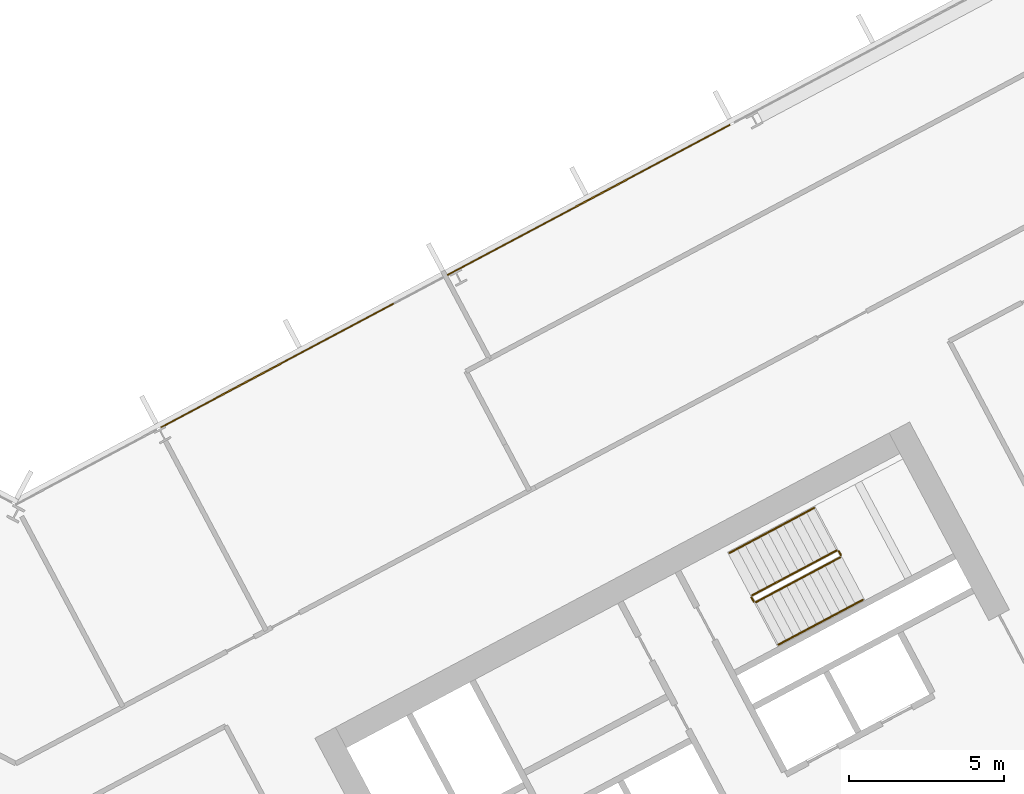
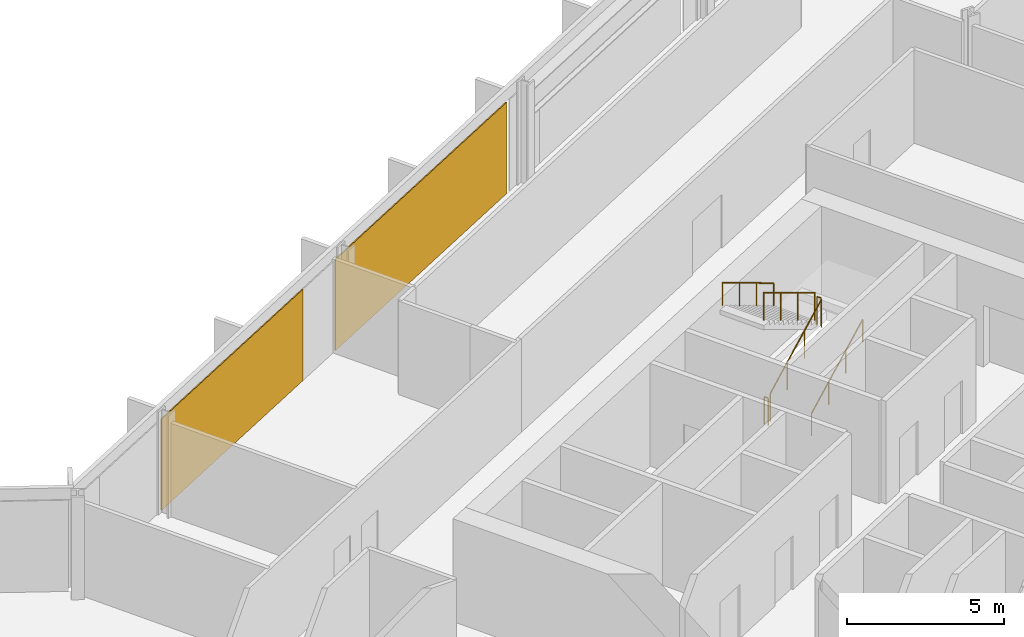
# One storey, part 27 of 28: 6 railings, 2 coverings, 1 element without a shape of its own.
"""IFC4 building model written with IfcOpenShell, lengths in metres."""

from ifc_helpers import new_model, si_unit, direction, frame, origin, origin_2d, place, context, subcontext, project, spatial, polyline, rectangle, outline, extrude, material, layer, layer_set, type_object, element, aggregate, save


model = new_model("IFC4")

# Units and contexts
model_context = context("Model", 3, precision=1e-05, world=origin(), true_north=direction((0.0, 1.0)))
body_context = subcontext(model_context, "Body", "Model", "MODEL_VIEW")
ifc_project = project(units=[si_unit("LENGTHUNIT", "METRE"), si_unit("AREAUNIT", "SQUARE_METRE"), si_unit("VOLUMEUNIT", "CUBIC_METRE"), si_unit("PLANEANGLEUNIT", "RADIAN"), si_unit("MASSUNIT", "GRAM", prefix="KILO")], contexts=[model_context])

# Site, building, storey
site_placement = place(None, origin())
site = spatial("IfcSite", under=ifc_project, at=site_placement, CompositionType="ELEMENT")
building_placement = place(site_placement, origin())
building = spatial("IfcBuilding", under=site, at=building_placement, Name="Cormorant Relay Tower", CompositionType="ELEMENT")
storey_placement = place(building_placement, frame((0.0, 0.0, 122.199951171875)))
storey = spatial("IfcBuildingStorey", under=building, at=storey_placement, Name="L24", CompositionType="ELEMENT", Elevation=122.199951171875)

# Curtain wall, coverings
ifc_material_1 = material(Name="Aluminium 6063-T6 anodised bronze", Category="aluminium")
ifc_layer_1 = layer(ifc_material_1, 0.199951171875)
ifc_layer_set_1 = layer_set([ifc_layer_1], Name="CW1 unitised bronze curtain wall with vertical fins")
curtain_wall_type = type_object("IfcCurtainWallType", Name="CW1 unitised bronze curtain wall with vertical fins", PredefinedType="NOTDEFINED", material=ifc_layer_set_1)
curtain_wall_placement = place(storey_placement, origin())
curtain_wall = element("IfcCurtainWall", 1, at=curtain_wall_placement, inside=storey, type_object=curtain_wall_type, Name="CW1 curtain wall 8", PredefinedType="NOTDEFINED")
ifc_material_2 = material(Name="Pale bronze anodised aluminium insulated panel", Category="aluminium")
ifc_layer_2 = layer(ifc_material_2, 0.0400390625)
ifc_layer_set_2 = layer_set([ifc_layer_2], Name="CW1 pale bronze insulated panel 40")
covering_type = type_object("IfcCoveringType", Name="CW1 pale bronze insulated panel 40", PredefinedType="CLADDING", material=ifc_layer_set_2)
covering_1_placement = place(storey_placement, frame((18.459228515625, 33.62158203125, 0.0), z_axis=(0.0, 0.0, 1.0), x_axis=(-0.882947592859, -0.469471562786, 0.0)))
covering_1 = element("IfcCovering", 2, at=covering_1_placement, type_object=covering_type, Name="CW1 panel S04", PredefinedType="CLADDING", context=body_context, shape_type="SweptSolid", body=[
    extrude(rectangle(XDim=10.30859375, YDim=0.0400390625, at=origin_2d()), origin(), (0.0, 0.0, 1.0), 3.550048828125),
])
covering_2_placement = place(storey_placement, frame((8.430419921875, 28.2890625, 0.0), z_axis=(0.0, 0.0, 1.0), x_axis=(-0.882947592859, -0.469471562786, 0.0)))
covering_2 = element("IfcCovering", 3, at=covering_2_placement, type_object=covering_type, Name="CW1 panel S06", PredefinedType="CLADDING", context=body_context, shape_type="SweptSolid", body=[
    extrude(rectangle(XDim=8.508544921875, YDim=0.0400390625, at=origin_2d()), origin(), (0.0, 0.0, 1.0), 3.550048828125),
])
aggregate(curtain_wall, [covering_1, covering_2])

# Railings
ifc_material_3 = material(Name="Steel ASTM A572 Grade 50 (Fy 345 MPa)", Category="steel")
railing_type_1 = type_object("IfcRailingType", Name="Stair guard 1100", PredefinedType="GUARDRAIL", material=ifc_material_3)
railing_1_placement = place(storey_placement, frame((23.8408203125, 20.6611328125, 0.166748046875)))
element("IfcRailing", 4, at=railing_1_placement, inside=storey, type_object=railing_type_1, Name="L24 B2 stair guard 1", PredefinedType="GUARDRAIL", context=body_context, shape_type="SweptSolid", body=[
    extrude(outline(polyline([(0.022216796875, 0.00927734375), (0.00927734375, 0.022216796875), (-0.00927734375, 0.022216796875), (-0.022216796875, 0.00927734375), (-0.022216796875, -0.00927734375), (-0.00927734375, -0.022216796875), (0.00927734375, -0.022216796875), (0.022216796875, -0.00927734375), (0.022216796875, 0.00927734375)])), frame((0.0, 0.0, 1.076171875), z_axis=(0.758734504837, 0.403377838015, 0.511476559549), x_axis=(-0.469427602063, 0.882970965786, 0.0)), (0.0, 0.0, 1.0), 3.584228515625),
    extrude(outline(polyline([(0.019287109375, 0.008056640625), (0.008056640625, 0.019287109375), (-0.008056640625, 0.019287109375), (-0.019287109375, 0.008056640625), (-0.019287109375, -0.008056640625), (-0.008056640625, -0.019287109375), (0.008056640625, -0.019287109375), (0.019287109375, -0.008056640625), (0.019287109375, 0.008056640625)])), origin(), (0.0, 0.0, 1.0), 1.052001953125),
    extrude(outline(polyline([(0.019287109375, 0.008056640625), (0.008056640625, 0.019287109375), (-0.008056640625, 0.019287109375), (-0.019287109375, 0.008056640625), (-0.019287109375, -0.008056640625), (-0.008056640625, -0.019287109375), (0.008056640625, -0.019287109375), (0.019287109375, -0.008056640625), (0.019287109375, 0.008056640625)])), frame((0.906494140625, 0.48193359375, 0.611083984375)), (0.0, 0.0, 1.0), 1.052001953125),
    extrude(outline(polyline([(0.019287109375, 0.008056640625), (0.008056640625, 0.019287109375), (-0.008056640625, 0.019287109375), (-0.019287109375, 0.008056640625), (-0.019287109375, -0.008056640625), (-0.008056640625, -0.019287109375), (0.008056640625, -0.019287109375), (0.019287109375, -0.008056640625), (0.019287109375, 0.008056640625)])), frame((1.81298828125, 0.9638671875, 1.22216796875)), (0.0, 0.0, 1.0), 1.052001953125),
    extrude(outline(polyline([(0.019287109375, 0.008056640625), (0.008056640625, 0.019287109375), (-0.008056640625, 0.019287109375), (-0.019287109375, 0.008056640625), (-0.019287109375, -0.008056640625), (-0.008056640625, -0.019287109375), (0.008056640625, -0.019287109375), (0.019287109375, -0.008056640625), (0.019287109375, 0.008056640625)])), frame((2.719482421875, 1.44580078125, 1.833251953125)), (0.0, 0.0, 1.0), 1.052001953125),
])
railing_2_placement = place(storey_placement, frame((26.5810546875, 22.174560546875, 2.0)))
element("IfcRailing", 5, at=railing_2_placement, inside=storey, type_object=railing_type_1, Name="L24 B2 stair guard 2", PredefinedType="GUARDRAIL", context=body_context, shape_type="SweptSolid", body=[
    extrude(outline(polyline([(0.022216796875, 0.00927734375), (0.00927734375, 0.022216796875), (-0.00927734375, 0.022216796875), (-0.022216796875, 0.00927734375), (-0.022216796875, -0.00927734375), (-0.00927734375, -0.022216796875), (0.00927734375, -0.022216796875), (0.022216796875, -0.00927734375), (0.022216796875, 0.00927734375)])), frame((0.0, 0.0, 1.076171875), z_axis=(-0.469828648786, 0.882757634224, 0.0), x_axis=(-0.882757634224, -0.469828648786, 0.0)), (0.0, 0.0, 1.0), 0.150146484375),
    extrude(outline(polyline([(0.019287109375, 0.008056640625), (0.008056640625, 0.019287109375), (-0.008056640625, 0.019287109375), (-0.019287109375, 0.008056640625), (-0.019287109375, -0.008056640625), (-0.008056640625, -0.019287109375), (0.008056640625, -0.019287109375), (0.019287109375, -0.008056640625), (0.019287109375, 0.008056640625)])), origin(), (0.0, 0.0, 1.0), 1.052001953125),
    extrude(outline(polyline([(0.019287109375, 0.008056640625), (0.008056640625, 0.019287109375), (-0.008056640625, 0.019287109375), (-0.019287109375, 0.008056640625), (-0.019287109375, -0.008056640625), (-0.008056640625, -0.019287109375), (0.008056640625, -0.019287109375), (0.019287109375, -0.008056640625), (0.019287109375, 0.008056640625)])), frame((-0.070556640625, 0.132568359375, 0.0)), (0.0, 0.0, 1.0), 1.052001953125),
])
railing_3_placement = place(storey_placement, frame((26.44287109375, 22.32763671875, 2.166748046875)))
element("IfcRailing", 6, at=railing_3_placement, inside=storey, type_object=railing_type_1, Name="L24 B2 stair guard 3", PredefinedType="GUARDRAIL", context=body_context, shape_type="SweptSolid", body=[
    extrude(outline(polyline([(0.022216796875, 0.00927734375), (0.00927734375, 0.022216796875), (-0.00927734375, 0.022216796875), (-0.022216796875, 0.00927734375), (-0.022216796875, -0.00927734375), (-0.00927734375, -0.022216796875), (0.00927734375, -0.022216796875), (0.022216796875, -0.00927734375), (0.022216796875, 0.00927734375)])), frame((0.0, 0.0, 1.076171875), z_axis=(-0.758734504837, -0.403377838015, 0.511476559549), x_axis=(0.469427602063, -0.882970965786, 0.0)), (0.0, 0.0, 1.0), 3.584228515625),
    extrude(outline(polyline([(0.019287109375, 0.008056640625), (0.008056640625, 0.019287109375), (-0.008056640625, 0.019287109375), (-0.019287109375, 0.008056640625), (-0.019287109375, -0.008056640625), (-0.008056640625, -0.019287109375), (0.008056640625, -0.019287109375), (0.019287109375, -0.008056640625), (0.019287109375, 0.008056640625)])), origin(), (0.0, 0.0, 1.0), 1.052001953125),
    extrude(outline(polyline([(0.019287109375, 0.008056640625), (0.008056640625, 0.019287109375), (-0.008056640625, 0.019287109375), (-0.019287109375, 0.008056640625), (-0.019287109375, -0.008056640625), (-0.008056640625, -0.019287109375), (0.008056640625, -0.019287109375), (0.019287109375, -0.008056640625), (0.019287109375, 0.008056640625)])), frame((-0.906494140625, -0.48193359375, 0.611083984375)), (0.0, 0.0, 1.0), 1.052001953125),
    extrude(outline(polyline([(0.019287109375, 0.008056640625), (0.008056640625, 0.019287109375), (-0.008056640625, 0.019287109375), (-0.019287109375, 0.008056640625), (-0.019287109375, -0.008056640625), (-0.008056640625, -0.019287109375), (0.008056640625, -0.019287109375), (0.019287109375, -0.008056640625), (0.019287109375, 0.008056640625)])), frame((-1.81298828125, -0.9638671875, 1.22216796875)), (0.0, 0.0, 1.0), 1.052001953125),
    extrude(outline(polyline([(0.019287109375, 0.008056640625), (0.008056640625, 0.019287109375), (-0.008056640625, 0.019287109375), (-0.019287109375, 0.008056640625), (-0.019287109375, -0.008056640625), (-0.008056640625, -0.019287109375), (0.008056640625, -0.019287109375), (0.019287109375, -0.008056640625), (0.019287109375, 0.008056640625)])), frame((-2.719482421875, -1.44580078125, 1.833251953125)), (0.0, 0.0, 1.0), 1.052001953125),
])
railing_4_placement = place(storey_placement, frame((23.773193359375, 20.681640625, 0.0)))
element("IfcRailing", 7, at=railing_4_placement, inside=storey, type_object=railing_type_1, Name="L24 B2 stair guard 4", PredefinedType="GUARDRAIL", context=body_context, shape_type="SweptSolid", body=[
    extrude(outline(polyline([(0.022216796875, 0.00927734375), (0.00927734375, 0.022216796875), (-0.00927734375, 0.022216796875), (-0.022216796875, 0.00927734375), (-0.022216796875, -0.00927734375), (-0.00927734375, -0.022216796875), (0.00927734375, -0.022216796875), (0.022216796875, -0.00927734375), (0.022216796875, 0.00927734375)])), frame((0.0, 0.0, 1.076171875), z_axis=(-0.46856034887, 0.8834314911, 0.0), x_axis=(-0.8834314911, -0.46856034887, 0.0)), (0.0, 0.0, 1.0), 0.150146484375),
    extrude(outline(polyline([(0.019287109375, 0.008056640625), (0.008056640625, 0.019287109375), (-0.008056640625, 0.019287109375), (-0.019287109375, 0.008056640625), (-0.019287109375, -0.008056640625), (-0.008056640625, -0.019287109375), (0.008056640625, -0.019287109375), (0.019287109375, -0.008056640625), (0.019287109375, 0.008056640625)])), origin(), (0.0, 0.0, 1.0), 1.052001953125),
    extrude(outline(polyline([(0.019287109375, 0.008056640625), (0.008056640625, 0.019287109375), (-0.008056640625, 0.019287109375), (-0.019287109375, 0.008056640625), (-0.019287109375, -0.008056640625), (-0.008056640625, -0.019287109375), (0.008056640625, -0.019287109375), (0.019287109375, -0.008056640625), (0.019287109375, 0.008056640625)])), frame((-0.0703125, 0.132568359375, 0.0)), (0.0, 0.0, 1.0), 1.052001953125),
])
ifc_material_4 = material(Name="Steel ASTM A572 Grade 50 (Fy 345 MPa)", Category="steel")
railing_type_2 = type_object("IfcRailingType", Name="Stair handrail 900", PredefinedType="HANDRAIL", material=ifc_material_4)
railing_5_placement = place(storey_placement, frame((24.568603515625, 19.29248046875, 0.166748046875)))
element("IfcRailing", 8, at=railing_5_placement, inside=storey, type_object=railing_type_2, Name="L24 B2 stair handrail 1", PredefinedType="HANDRAIL", context=body_context, shape_type="SweptSolid", body=[
    extrude(outline(polyline([(0.022216796875, 0.00927734375), (0.00927734375, 0.022216796875), (-0.00927734375, 0.022216796875), (-0.022216796875, 0.00927734375), (-0.022216796875, -0.00927734375), (-0.00927734375, -0.022216796875), (0.00927734375, -0.022216796875), (0.022216796875, -0.00927734375), (0.022216796875, 0.00927734375)])), frame((0.0, 0.0, 0.8759765625), z_axis=(0.758713656843, 0.403434867536, 0.511462505542), x_axis=(-0.469489399267, 0.882938108802, 0.0)), (0.0, 0.0, 1.0), 3.584228515625),
    extrude(outline(polyline([(0.019287109375, 0.008056640625), (0.008056640625, 0.019287109375), (-0.008056640625, 0.019287109375), (-0.019287109375, 0.008056640625), (-0.019287109375, -0.008056640625), (-0.008056640625, -0.019287109375), (0.008056640625, -0.019287109375), (0.019287109375, -0.008056640625), (0.019287109375, 0.008056640625)])), origin(), (0.0, 0.0, 1.0), 0.851806640625),
    extrude(outline(polyline([(0.019287109375, 0.008056640625), (0.008056640625, 0.019287109375), (-0.008056640625, 0.019287109375), (-0.019287109375, 0.008056640625), (-0.019287109375, -0.008056640625), (-0.008056640625, -0.019287109375), (0.008056640625, -0.019287109375), (0.019287109375, -0.008056640625), (0.019287109375, 0.008056640625)])), frame((0.906494140625, 0.48193359375, 0.611083984375)), (0.0, 0.0, 1.0), 0.851806640625),
    extrude(outline(polyline([(0.019287109375, 0.008056640625), (0.008056640625, 0.019287109375), (-0.008056640625, 0.019287109375), (-0.019287109375, 0.008056640625), (-0.019287109375, -0.008056640625), (-0.008056640625, -0.019287109375), (0.008056640625, -0.019287109375), (0.019287109375, -0.008056640625), (0.019287109375, 0.008056640625)])), frame((1.81298828125, 0.964111328125, 1.22216796875)), (0.0, 0.0, 1.0), 0.851806640625),
    extrude(outline(polyline([(0.019287109375, 0.008056640625), (0.008056640625, 0.019287109375), (-0.008056640625, 0.019287109375), (-0.019287109375, 0.008056640625), (-0.019287109375, -0.008056640625), (-0.008056640625, -0.019287109375), (0.008056640625, -0.019287109375), (0.019287109375, -0.008056640625), (0.019287109375, 0.008056640625)])), frame((2.719482421875, 1.446044921875, 1.833251953125)), (0.0, 0.0, 1.0), 0.851806640625),
])
railing_6_placement = place(storey_placement, frame((25.71533203125, 23.6962890625, 2.166748046875)))
element("IfcRailing", 9, at=railing_6_placement, inside=storey, type_object=railing_type_2, Name="L24 B2 stair handrail 2", PredefinedType="HANDRAIL", context=body_context, shape_type="SweptSolid", body=[
    extrude(outline(polyline([(0.022216796875, 0.00927734375), (0.00927734375, 0.022216796875), (-0.00927734375, 0.022216796875), (-0.022216796875, 0.00927734375), (-0.022216796875, -0.00927734375), (-0.00927734375, -0.022216796875), (0.00927734375, -0.022216796875), (0.022216796875, -0.00927734375), (0.022216796875, 0.00927734375)])), frame((0.0, 0.0, 0.8759765625), z_axis=(-0.758713656843, -0.403434867536, 0.511462505542), x_axis=(0.469489399267, -0.882938108802, 0.0)), (0.0, 0.0, 1.0), 3.584228515625),
    extrude(outline(polyline([(0.019287109375, 0.008056640625), (0.008056640625, 0.019287109375), (-0.008056640625, 0.019287109375), (-0.019287109375, 0.008056640625), (-0.019287109375, -0.008056640625), (-0.008056640625, -0.019287109375), (0.008056640625, -0.019287109375), (0.019287109375, -0.008056640625), (0.019287109375, 0.008056640625)])), origin(), (0.0, 0.0, 1.0), 0.851806640625),
    extrude(outline(polyline([(0.019287109375, 0.008056640625), (0.008056640625, 0.019287109375), (-0.008056640625, 0.019287109375), (-0.019287109375, 0.008056640625), (-0.019287109375, -0.008056640625), (-0.008056640625, -0.019287109375), (0.008056640625, -0.019287109375), (0.019287109375, -0.008056640625), (0.019287109375, 0.008056640625)])), frame((-0.906494140625, -0.48193359375, 0.611083984375)), (0.0, 0.0, 1.0), 0.851806640625),
    extrude(outline(polyline([(0.019287109375, 0.008056640625), (0.008056640625, 0.019287109375), (-0.008056640625, 0.019287109375), (-0.019287109375, 0.008056640625), (-0.019287109375, -0.008056640625), (-0.008056640625, -0.019287109375), (0.008056640625, -0.019287109375), (0.019287109375, -0.008056640625), (0.019287109375, 0.008056640625)])), frame((-1.81298828125, -0.964111328125, 1.22216796875)), (0.0, 0.0, 1.0), 0.851806640625),
    extrude(outline(polyline([(0.019287109375, 0.008056640625), (0.008056640625, 0.019287109375), (-0.008056640625, 0.019287109375), (-0.019287109375, 0.008056640625), (-0.019287109375, -0.008056640625), (-0.008056640625, -0.019287109375), (0.008056640625, -0.019287109375), (0.019287109375, -0.008056640625), (0.019287109375, 0.008056640625)])), frame((-2.719482421875, -1.446044921875, 1.833251953125)), (0.0, 0.0, 1.0), 0.851806640625),
])

save(model, "model.ifc")
